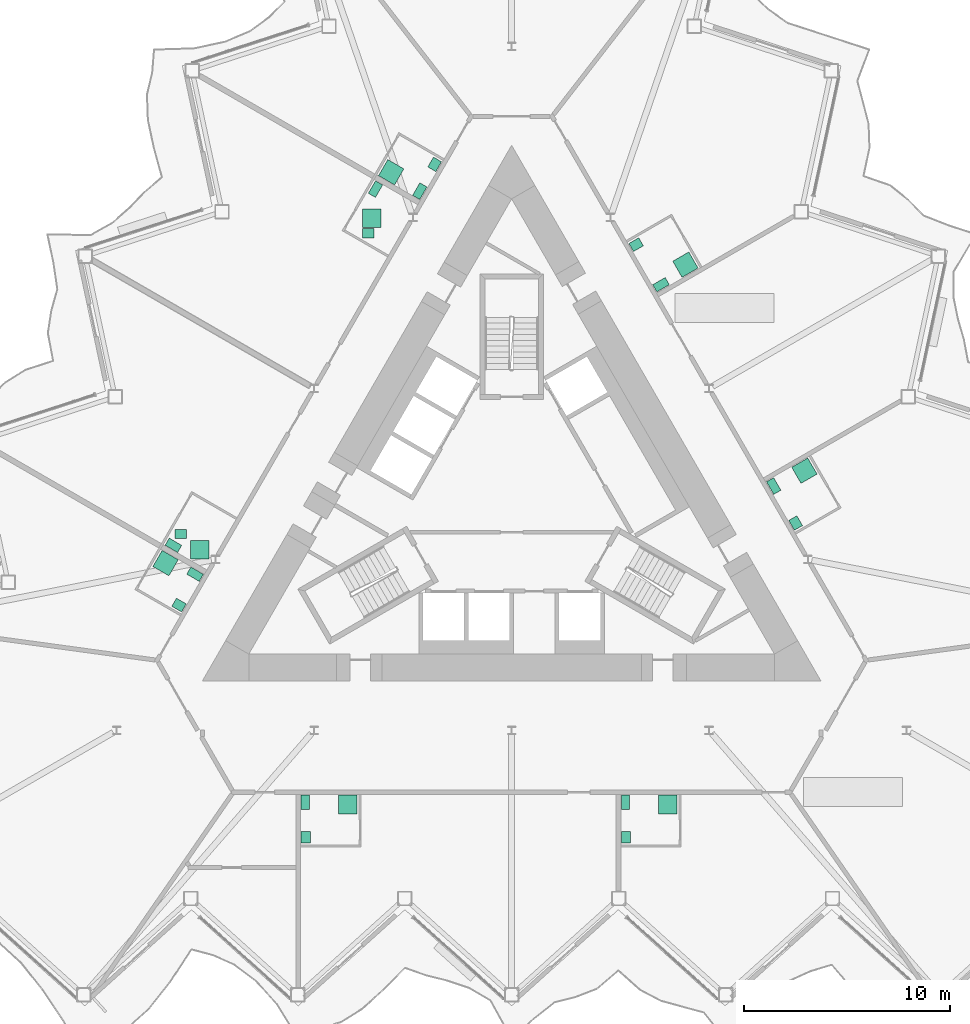
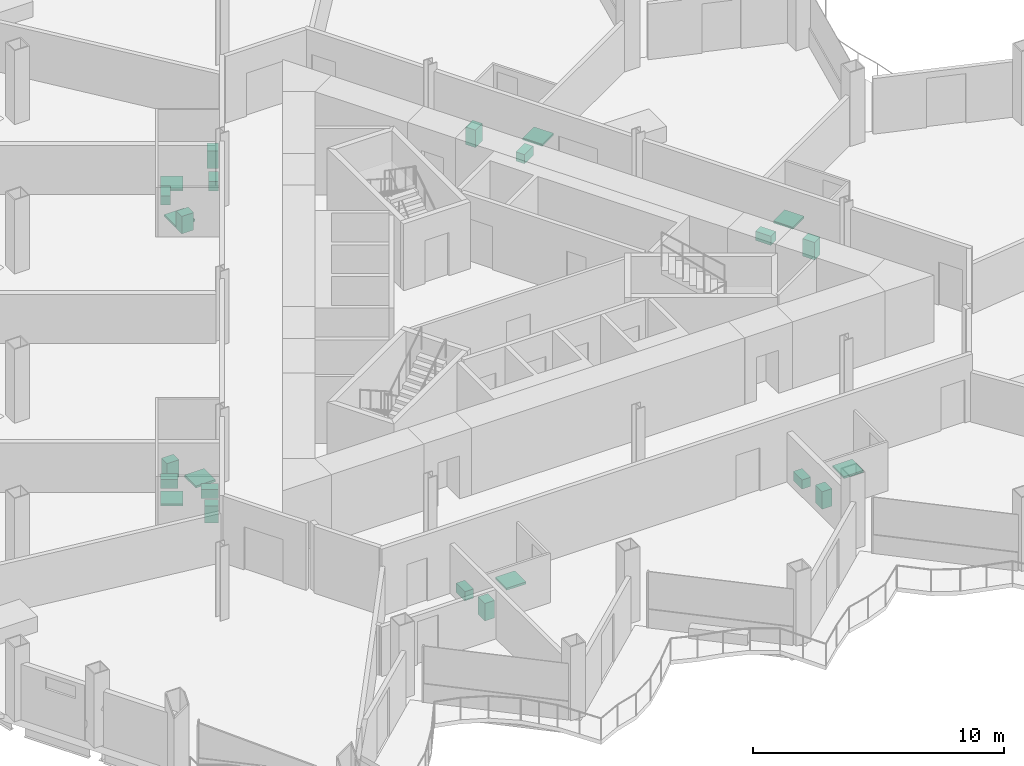
# One storey, part 22 of 23: 24 sanitary terminals.
"""IFC4 building model written with IfcOpenShell, lengths in metres."""

from ifc_helpers import new_model, si_unit, direction, frame, origin, origin_2d, place, context, subcontext, project, spatial, rectangle, extrude, material, type_object, element, save


model = new_model("IFC4")

# Units and contexts
model_context = context("Model", 3, precision=1e-05, world=origin(), true_north=direction((0.0, 1.0)))
body_context = subcontext(model_context, "Body", "Model", "MODEL_VIEW")
ifc_project = project(units=[si_unit("LENGTHUNIT", "METRE"), si_unit("AREAUNIT", "SQUARE_METRE"), si_unit("VOLUMEUNIT", "CUBIC_METRE"), si_unit("PLANEANGLEUNIT", "RADIAN"), si_unit("MASSUNIT", "GRAM", prefix="KILO")], contexts=[model_context])

# Site, building, storey
site_placement = place(None, origin())
site = spatial("IfcSite", under=ifc_project, at=site_placement, CompositionType="ELEMENT")
building_placement = place(site_placement, origin())
building = spatial("IfcBuilding", under=site, at=building_placement, Name="Cormorant Prow Tower", CompositionType="ELEMENT")
storey_placement = place(building_placement, frame((0.0, 0.0, 245.39990234375)))
storey = spatial("IfcBuildingStorey", under=building, at=storey_placement, Name="L54", CompositionType="ELEMENT", Elevation=245.39990234375)

# Sanitary terminals
ifc_material_1 = material(Name="Vitreous china")
sanitary_terminal_type_1 = type_object("IfcSanitaryTerminalType", Name="Shower tray 900x900", PredefinedType="SHOWER", material=ifc_material_1)
for number, where, z_axis, x_axis, name in (
    (1, (-7.9462890625, -14.6552734375, 0.0), (0.0, 0.0, 1.0), (0.0, -1.0, 0.0), "Shower tray"),
    (2, (7.580810546875, -14.6552734375, 0.0), (0.0, 0.0, 1.0), (0.0, -1.0, 0.0), "Shower tray"),
    (3, (14.2001953125, 1.53515625, 0.0), (0.0, 0.0, 1.0), (0.5, -0.866025403784, 0.0), "Shower tray"),
    (4, (8.429443359375, 11.5302734375, 0.0), (0.0, 0.0, 1.0), (-0.866025403784, -0.5, 0.0), "Shower tray"),
    (5, (-5.841552734375, 16.012451171875, 0.0), (0.0, 0.0, 1.0), (0.5, 0.866025403784, 0.0), "Shower tray"),
    (6, (-6.774658203125, 13.7763671875, 0.0), (0.0, 0.0, 1.0), (1.0, 0.0, 0.0), "Shower tray"),
    (7, (-15.126220703125, -2.3046875, 0.0), (0.0, 0.0, 1.0), (1.0, 0.0, 0.0), "Shower tray"),
    (8, (-16.7880859375, -2.947265625, 0.0), (0.0, 0.0, 1.0), (0.866025403784, -0.5, 0.0), "Shower tray"),
):
    element("IfcSanitaryTerminal", number, at=place(storey_placement, frame(where, z_axis=z_axis, x_axis=x_axis)), inside=storey, type_object=sanitary_terminal_type_1, Name=name, PredefinedType="SHOWER", context=body_context, shape_type="SweptSolid", body=[
        extrude(rectangle(XDim=0.89990234375, YDim=0.89990234375, at=origin_2d()), origin(), (0.0, 0.0, 1.0), 0.10009765625),
    ])
ifc_material_2 = material(Name="Vitreous china")
sanitary_terminal_type_2 = type_object("IfcSanitaryTerminalType", Name="Wash basin 550x450", PredefinedType="WASHHANDBASIN", material=ifc_material_2)
for number, where, z_axis, x_axis, name in (
    (9, (-9.9814453125, -16.240234375, 0.0), (0.0, 0.0, 1.0), (0.0, 1.0, 0.0), "Wash basin"),
    (10, (5.545654296875, -16.240234375, 0.0), (0.0, 0.0, 1.0), (0.0, 1.0, 0.0), "Wash basin"),
    (11, (13.776611328125, -1.00146484375, 0.0), (0.0, 0.0, 1.0), (-0.5, 0.866025403784, 0.0), "Wash basin"),
    (12, (6.039306640625, 12.5, 0.0), (0.0, 0.0, 1.0), (0.866025403784, 0.5, 0.0), "Wash basin"),
    (13, (-3.733154296875, 16.394287109375, 0.0), (0.0, 0.0, 1.0), (-0.5, -0.866025403784, 0.0), "Wash basin"),
    (14, (-6.94970703125, 13.051513671875, 0.0), (0.0, 0.0, 1.0), (1.0, 0.0, 0.0), "Wash basin"),
    (15, (-16.051025390625, -1.52978515625, 0.0), (0.0, 0.0, 1.0), (1.0, 0.0, 0.0), "Wash basin"),
    (16, (-16.1328125, -4.982421875, 0.0), (0.0, 0.0, 1.0), (-0.866025403784, 0.5, 0.0), "Wash basin"),
):
    element("IfcSanitaryTerminal", number, at=place(storey_placement, frame(where, z_axis=z_axis, x_axis=x_axis)), inside=storey, type_object=sanitary_terminal_type_2, Name=name, PredefinedType="WASHHANDBASIN", context=body_context, shape_type="SweptSolid", body=[
        extrude(rectangle(XDim=0.550048828125, YDim=0.449951171875, at=origin_2d()), origin(), (0.0, 0.0, 1.0), 0.85009765625),
    ])
ifc_material_3 = material(Name="Vitreous china")
sanitary_terminal_type_3 = type_object("IfcSanitaryTerminalType", Name="Water closet 400x700", PredefinedType="WCSEAT", material=ifc_material_3)
for number, where, z_axis, x_axis, name in (
    (17, (-10.00634765625, -14.555419921875, 0.0), (0.0, 0.0, 1.0), (1.0, 0.0, 0.0), "Water closet"),
    (18, (5.520751953125, -14.555419921875, 0.0), (0.0, 0.0, 1.0), (1.0, 0.0, 0.0), "Water closet"),
    (19, (12.712646484375, 0.791748046875, 0.0), (0.0, 0.0, 1.0), (0.866025403784, 0.5, 0.0), "Water closet"),
    (20, (7.246826171875, 10.55859375, 0.0), (0.0, 0.0, 1.0), (-0.5, 0.866025403784, 0.0), "Water closet"),
    (21, (-4.4541015625, 15.095947265625, 0.0), (0.0, 0.0, 1.0), (-0.866025403784, 0.5, 0.0), "Water closet"),
    (22, (-6.60302734375, 15.193603515625, 0.0), (0.0, 0.0, 1.0), (0.866025403784, -0.5, 0.0), "Water closet"),
    (23, (-16.404541015625, -2.083251953125, 0.0), (0.0, 0.0, 1.0), (0.5, 0.866025403784, 0.0), "Water closet"),
    (24, (-15.355224609375, -3.485595703125, 0.0), (0.0, 0.0, 1.0), (-0.5, -0.866025403784, 0.0), "Water closet"),
):
    element("IfcSanitaryTerminal", number, at=place(storey_placement, frame(where, z_axis=z_axis, x_axis=x_axis)), inside=storey, type_object=sanitary_terminal_type_3, Name=name, PredefinedType="WCSEAT", context=body_context, shape_type="SweptSolid", body=[
        extrude(rectangle(XDim=0.39990234375, YDim=0.699951171875, at=origin_2d()), origin(), (0.0, 0.0, 1.0), 0.449951171875),
    ])

save(model, "model.ifc")
